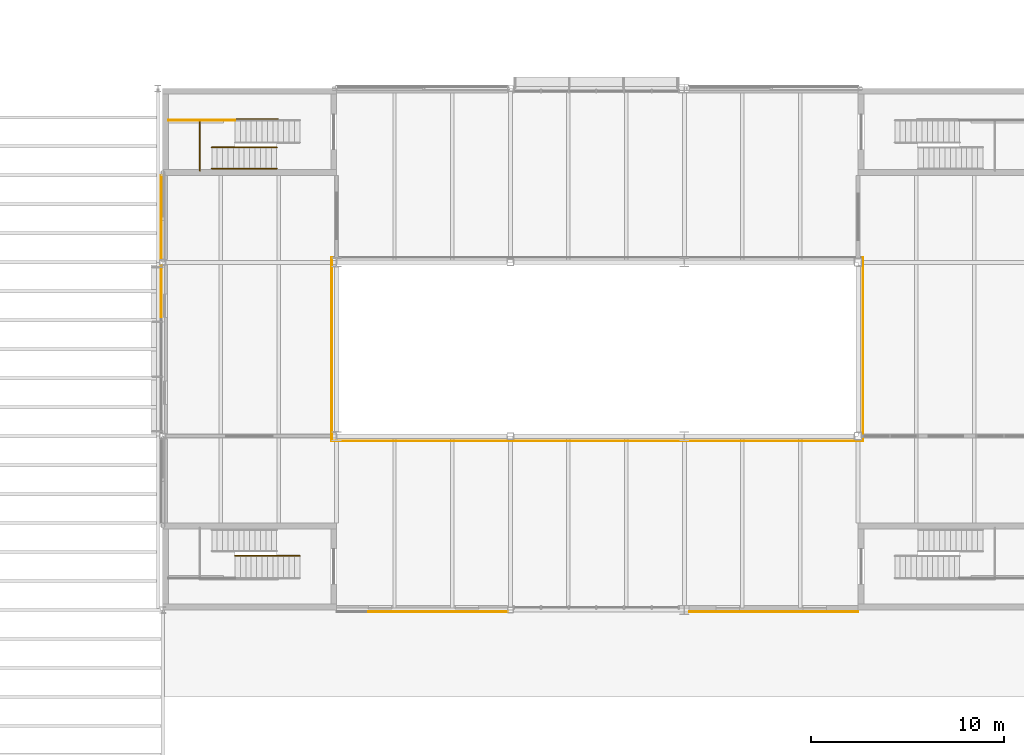
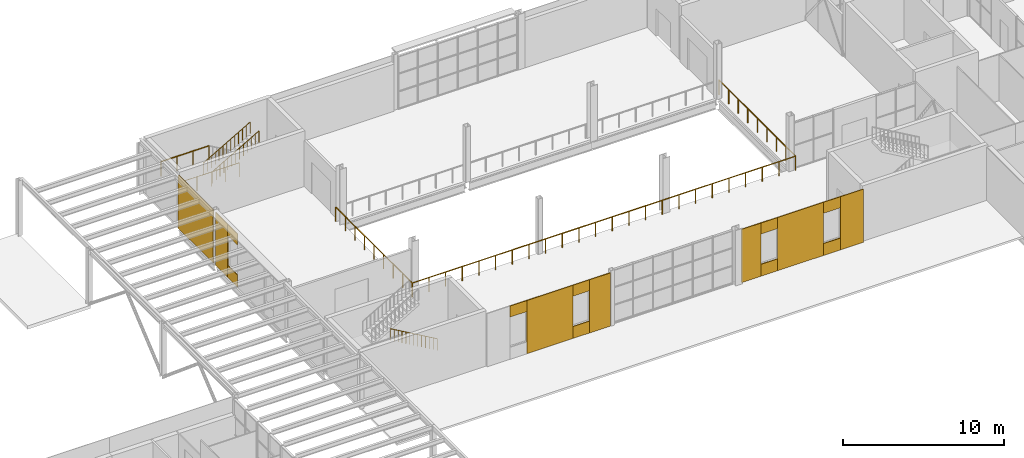
# One storey, part 50 of 57: 16 coverings, 8 railings.
"""IFC4 building model written with IfcOpenShell, lengths in metres."""

from ifc_helpers import new_model, si_unit, direction, frame, frame_2d, origin, origin_2d, place, context, subcontext, project, spatial, rectangle, circle, extrude, material, layer, layer_set, type_object, element, save


model = new_model("IFC4")

# Units and contexts
model_context = context("Model", 3, precision=1e-05, world=origin(), true_north=direction((0.0, 1.0)))
body_context = subcontext(model_context, "Body", "Model", "MODEL_VIEW")
ifc_project = project(units=[si_unit("LENGTHUNIT", "METRE"), si_unit("AREAUNIT", "SQUARE_METRE"), si_unit("VOLUMEUNIT", "CUBIC_METRE"), si_unit("PLANEANGLEUNIT", "RADIAN"), si_unit("MASSUNIT", "GRAM", prefix="KILO")], contexts=[model_context])

# Site, building, storey
site_placement = place(None, origin())
site = spatial("IfcSite", under=ifc_project, at=site_placement, CompositionType="ELEMENT")
building_placement = place(site_placement, origin())
building = spatial("IfcBuilding", under=site, at=building_placement, Name="Halyard Row Museum", CompositionType="ELEMENT")
storey_placement = place(building_placement, frame((0.0, 0.0, 5.0)))
storey = spatial("IfcBuildingStorey", under=building, at=storey_placement, Name="L01", CompositionType="ELEMENT", Elevation=5.0)

# Railings
ifc_material_1 = material(Name="Steel Grade 300", Category="steel")
railing_type_1 = type_object("IfcRailingType", Name="Guard GR2 steel balustrade 1100", PredefinedType="GUARDRAIL", material=ifc_material_1)
railing_1_placement = place(storey_placement, frame((30.739990234375, 43.35009765625, 2.10009765625)))
element("IfcRailing", 1, at=railing_1_placement, inside=storey, type_object=railing_type_1, Name="Guard GR006", PredefinedType="GUARDRAIL", context=body_context, shape_type="SweptSolid", body=[
    extrude(circle(Radius=0.02392578125, at=origin_2d()), frame((0.0, 0.0, 1.076171875), z_axis=(-1.0, 0.0, 0.0), x_axis=(0.0, -1.0, 0.0)), (0.0, 0.0, 1.0), 3.43994140625),
    extrude(circle(Radius=0.02099609375, at=origin_2d()), origin(), (0.0, 0.0, 1.0), 1.052001953125),
    extrude(circle(Radius=0.02099609375, at=origin_2d()), frame((-1.146728515625, 0.0, 0.0)), (0.0, 0.0, 1.0), 1.052001953125),
    extrude(circle(Radius=0.02099609375, at=origin_2d()), frame((-2.293212890625, 0.0, 0.0)), (0.0, 0.0, 1.0), 1.052001953125),
    extrude(circle(Radius=0.02099609375, at=origin_2d()), frame((-3.43994140625, 0.0, 0.0)), (0.0, 0.0, 1.0), 1.052001953125),
])
railing_2_placement = place(storey_placement, frame((28.919921875, 40.739990234375, 0.0)))
element("IfcRailing", 2, at=railing_2_placement, inside=storey, type_object=railing_type_1, Name="Guard GR138", PredefinedType="GUARDRAIL", context=body_context, shape_type="SweptSolid", body=[
    extrude(circle(Radius=0.02392578125, at=origin_2d()), frame((0.0, 0.0, 1.076171875), z_axis=(0.0, 1.0, 0.0), x_axis=(-1.0, 0.0, 0.0)), (0.0, 0.0, 1.0), 2.669921875),
    extrude(circle(Radius=0.02392578125, at=origin_2d()), frame((0.0, 2.669921875, 1.076171875), z_axis=(1.0, 0.0, 0.0), x_axis=(0.0, 1.0, 0.0)), (0.0, 0.0, 1.0), 4.0400390625),
    extrude(circle(Radius=0.02099609375, at=origin_2d()), origin(), (0.0, 0.0, 1.0), 1.052001953125),
    extrude(circle(Radius=0.02099609375, at=origin_2d()), frame((0.0, 0.889892578125, 0.0)), (0.0, 0.0, 1.0), 1.052001953125),
    extrude(circle(Radius=0.02099609375, at=origin_2d()), frame((0.0, 1.780029296875, 0.0)), (0.0, 0.0, 1.0), 1.052001953125),
    extrude(circle(Radius=0.02099609375, at=origin_2d()), frame((0.0, 2.669921875, 0.0)), (0.0, 0.0, 1.0), 1.052001953125),
    extrude(circle(Radius=0.02099609375, at=origin_2d()), frame((1.010009765625, 2.669921875, 0.0)), (0.0, 0.0, 1.0), 1.052001953125),
    extrude(circle(Radius=0.02099609375, at=origin_2d()), frame((2.02001953125, 2.669921875, 0.0)), (0.0, 0.0, 1.0), 1.052001953125),
    extrude(circle(Radius=0.02099609375, at=origin_2d()), frame((3.030029296875, 2.669921875, 0.0)), (0.0, 0.0, 1.0), 1.052001953125),
    extrude(circle(Radius=0.02099609375, at=origin_2d()), frame((4.0400390625, 2.669921875, 0.0)), (0.0, 0.0, 1.0), 1.052001953125),
])
railing_3_placement = place(storey_placement, frame((35.75, 26.75, 0.0)))
element("IfcRailing", 3, at=railing_3_placement, inside=storey, type_object=railing_type_1, Name="Guard GR190", PredefinedType="GUARDRAIL", context=body_context, shape_type="SweptSolid", body=[
    extrude(circle(Radius=0.02392578125, at=origin_2d()), frame((0.0, 0.0, 1.076171875), z_axis=(0.0, 1.0, 0.0), x_axis=(-1.0, 0.0, 0.0)), (0.0, 0.0, 1.0), 9.5),
    extrude(circle(Radius=0.02099609375, at=origin_2d()), origin(), (0.0, 0.0, 1.0), 1.052001953125),
    extrude(circle(Radius=0.02099609375, at=origin_2d()), frame((0.0, 1.1875, 0.0)), (0.0, 0.0, 1.0), 1.052001953125),
    extrude(circle(Radius=0.02099609375, at=origin_2d()), frame((0.0, 2.375, 0.0)), (0.0, 0.0, 1.0), 1.052001953125),
    extrude(circle(Radius=0.02099609375, at=origin_2d()), frame((0.0, 3.5625, 0.0)), (0.0, 0.0, 1.0), 1.052001953125),
    extrude(circle(Radius=0.02099609375, at=origin_2d()), frame((0.0, 4.75, 0.0)), (0.0, 0.0, 1.0), 1.052001953125),
    extrude(circle(Radius=0.02099609375, at=origin_2d()), frame((0.0, 5.9375, 0.0)), (0.0, 0.0, 1.0), 1.052001953125),
    extrude(circle(Radius=0.02099609375, at=origin_2d()), frame((0.0, 7.125, 0.0)), (0.0, 0.0, 1.0), 1.052001953125),
    extrude(circle(Radius=0.02099609375, at=origin_2d()), frame((0.0, 8.3125, 0.0)), (0.0, 0.0, 1.0), 1.052001953125),
    extrude(circle(Radius=0.02099609375, at=origin_2d()), frame((0.0, 9.5, 0.0)), (0.0, 0.0, 1.0), 1.052001953125),
])
railing_4_placement = place(storey_placement, frame((35.75, 26.75, 0.0)))
element("IfcRailing", 4, at=railing_4_placement, inside=storey, type_object=railing_type_1, Name="Guard GR191", PredefinedType="GUARDRAIL", context=body_context, shape_type="SweptSolid", body=[
    extrude(circle(Radius=0.02392578125, at=origin_2d()), frame((0.0, 0.0, 1.076171875), z_axis=(1.0, 0.0, 0.0), x_axis=(0.0, 1.0, 0.0)), (0.0, 0.0, 1.0), 27.5),
    extrude(circle(Radius=0.02099609375, at=origin_2d()), origin(), (0.0, 0.0, 1.0), 1.052001953125),
    extrude(circle(Radius=0.02099609375, at=origin_2d()), frame((1.195556640625, 0.0, 0.0)), (0.0, 0.0, 1.0), 1.052001953125),
    extrude(circle(Radius=0.02099609375, at=origin_2d()), frame((2.391357421875, 0.0, 0.0)), (0.0, 0.0, 1.0), 1.052001953125),
    extrude(circle(Radius=0.02099609375, at=origin_2d()), frame((3.5869140625, 0.0, 0.0)), (0.0, 0.0, 1.0), 1.052001953125),
    extrude(circle(Radius=0.02099609375, at=origin_2d()), frame((4.78271484375, 0.0, 0.0)), (0.0, 0.0, 1.0), 1.052001953125),
    extrude(circle(Radius=0.02099609375, at=origin_2d()), frame((5.978271484375, 0.0, 0.0)), (0.0, 0.0, 1.0), 1.052001953125),
    extrude(circle(Radius=0.02099609375, at=origin_2d()), frame((7.173828125, 0.0, 0.0)), (0.0, 0.0, 1.0), 1.052001953125),
    extrude(circle(Radius=0.02099609375, at=origin_2d()), frame((8.36962890625, 0.0, 0.0)), (0.0, 0.0, 1.0), 1.052001953125),
    extrude(circle(Radius=0.02099609375, at=origin_2d()), frame((9.565185546875, 0.0, 0.0)), (0.0, 0.0, 1.0), 1.052001953125),
    extrude(circle(Radius=0.02099609375, at=origin_2d()), frame((10.760986328125, 0.0, 0.0)), (0.0, 0.0, 1.0), 1.052001953125),
    extrude(circle(Radius=0.02099609375, at=origin_2d()), frame((11.95654296875, 0.0, 0.0)), (0.0, 0.0, 1.0), 1.052001953125),
    extrude(circle(Radius=0.02099609375, at=origin_2d()), frame((13.152099609375, 0.0, 0.0)), (0.0, 0.0, 1.0), 1.052001953125),
    extrude(circle(Radius=0.02099609375, at=origin_2d()), frame((14.347900390625, 0.0, 0.0)), (0.0, 0.0, 1.0), 1.052001953125),
    extrude(circle(Radius=0.02099609375, at=origin_2d()), frame((15.54345703125, 0.0, 0.0)), (0.0, 0.0, 1.0), 1.052001953125),
    extrude(circle(Radius=0.02099609375, at=origin_2d()), frame((16.739013671875, 0.0, 0.0)), (0.0, 0.0, 1.0), 1.052001953125),
    extrude(circle(Radius=0.02099609375, at=origin_2d()), frame((17.934814453125, 0.0, 0.0)), (0.0, 0.0, 1.0), 1.052001953125),
    extrude(circle(Radius=0.02099609375, at=origin_2d()), frame((19.13037109375, 0.0, 0.0)), (0.0, 0.0, 1.0), 1.052001953125),
    extrude(circle(Radius=0.02099609375, at=origin_2d()), frame((20.326171875, 0.0, 0.0)), (0.0, 0.0, 1.0), 1.052001953125),
    extrude(circle(Radius=0.02099609375, at=origin_2d()), frame((21.521728515625, 0.0, 0.0)), (0.0, 0.0, 1.0), 1.052001953125),
    extrude(circle(Radius=0.02099609375, at=origin_2d()), frame((22.71728515625, 0.0, 0.0)), (0.0, 0.0, 1.0), 1.052001953125),
    extrude(circle(Radius=0.02099609375, at=origin_2d()), frame((23.9130859375, 0.0, 0.0)), (0.0, 0.0, 1.0), 1.052001953125),
    extrude(circle(Radius=0.02099609375, at=origin_2d()), frame((25.108642578125, 0.0, 0.0)), (0.0, 0.0, 1.0), 1.052001953125),
    extrude(circle(Radius=0.02099609375, at=origin_2d()), frame((26.304443359375, 0.0, 0.0)), (0.0, 0.0, 1.0), 1.052001953125),
    extrude(circle(Radius=0.02099609375, at=origin_2d()), frame((27.5, 0.0, 0.0)), (0.0, 0.0, 1.0), 1.052001953125),
])
railing_5_placement = place(storey_placement, frame((63.25, 26.75, 0.0)))
element("IfcRailing", 5, at=railing_5_placement, inside=storey, type_object=railing_type_1, Name="Guard GR192", PredefinedType="GUARDRAIL", context=body_context, shape_type="SweptSolid", body=[
    extrude(circle(Radius=0.02392578125, at=origin_2d()), frame((0.0, 0.0, 1.076171875), z_axis=(0.0, 1.0, 0.0), x_axis=(-1.0, 0.0, 0.0)), (0.0, 0.0, 1.0), 9.5),
    extrude(circle(Radius=0.02099609375, at=origin_2d()), origin(), (0.0, 0.0, 1.0), 1.052001953125),
    extrude(circle(Radius=0.02099609375, at=origin_2d()), frame((0.0, 1.1875, 0.0)), (0.0, 0.0, 1.0), 1.052001953125),
    extrude(circle(Radius=0.02099609375, at=origin_2d()), frame((0.0, 2.375, 0.0)), (0.0, 0.0, 1.0), 1.052001953125),
    extrude(circle(Radius=0.02099609375, at=origin_2d()), frame((0.0, 3.5625, 0.0)), (0.0, 0.0, 1.0), 1.052001953125),
    extrude(circle(Radius=0.02099609375, at=origin_2d()), frame((0.0, 4.75, 0.0)), (0.0, 0.0, 1.0), 1.052001953125),
    extrude(circle(Radius=0.02099609375, at=origin_2d()), frame((0.0, 5.9375, 0.0)), (0.0, 0.0, 1.0), 1.052001953125),
    extrude(circle(Radius=0.02099609375, at=origin_2d()), frame((0.0, 7.125, 0.0)), (0.0, 0.0, 1.0), 1.052001953125),
    extrude(circle(Radius=0.02099609375, at=origin_2d()), frame((0.0, 8.3125, 0.0)), (0.0, 0.0, 1.0), 1.052001953125),
    extrude(circle(Radius=0.02099609375, at=origin_2d()), frame((0.0, 9.5, 0.0)), (0.0, 0.0, 1.0), 1.052001953125),
])
ifc_material_2 = material(Name="Steel Grade 300", Category="steel")
railing_type_2 = type_object("IfcRailingType", Name="Handrail HR2 steel 900", PredefinedType="HANDRAIL", material=ifc_material_2)
railing_6_placement = place(storey_placement, frame((29.5400390625, 40.85009765625, 2.261474609375)))
element("IfcRailing", 6, at=railing_6_placement, inside=storey, type_object=railing_type_2, Name="Handrail HR008", PredefinedType="HANDRAIL", context=body_context, shape_type="SweptSolid", body=[
    extrude(circle(Radius=0.02392578125, at=origin_2d()), frame((0.0, 0.0, 0.8759765625), z_axis=(0.86609757561, 0.0, 0.499874973892), x_axis=(0.0, 1.0, 0.0)), (0.0, 0.0, 1.0), 0.3232421875),
    extrude(circle(Radius=0.02392578125, at=origin_2d()), frame((0.280029296875, 0.0, 1.03759765625), z_axis=(0.86609757561, 0.0, 0.499874973892), x_axis=(0.0, 1.0, 0.0)), (0.0, 0.0, 1.0), 0.3232421875),
    extrude(circle(Radius=0.02392578125, at=origin_2d()), frame((0.56005859375, 0.0, 1.19921875), z_axis=(0.866235917577, 0.0, 0.499635202023), x_axis=(0.0, 1.0, 0.0)), (0.0, 0.0, 1.0), 0.322998046875),
    extrude(circle(Radius=0.02392578125, at=origin_2d()), frame((0.83984375, 0.0, 1.3603515625), z_axis=(0.86609757561, 0.0, 0.499874973892), x_axis=(0.0, 1.0, 0.0)), (0.0, 0.0, 1.0), 0.3232421875),
    extrude(circle(Radius=0.02392578125, at=origin_2d()), frame((1.119873046875, 0.0, 1.52197265625), z_axis=(0.86609757561, 0.0, 0.499874973892), x_axis=(0.0, 1.0, 0.0)), (0.0, 0.0, 1.0), 0.3232421875),
    extrude(circle(Radius=0.02392578125, at=origin_2d()), frame((1.39990234375, 0.0, 1.68359375), z_axis=(0.866424426198, 0.0, 0.49930823515), x_axis=(0.0, 1.0, 0.0)), (0.0, 0.0, 1.0), 0.3232421875),
    extrude(circle(Radius=0.02392578125, at=origin_2d()), frame((1.679931640625, 0.0, 1.84521484375), z_axis=(0.86609757561, 0.0, 0.499874973892), x_axis=(0.0, 1.0, 0.0)), (0.0, 0.0, 1.0), 0.3232421875),
    extrude(circle(Radius=0.02392578125, at=origin_2d()), frame((1.9599609375, 0.0, 2.0068359375), z_axis=(0.86609757561, 0.0, 0.499874973892), x_axis=(0.0, 1.0, 0.0)), (0.0, 0.0, 1.0), 0.3232421875),
    extrude(circle(Radius=0.02392578125, at=origin_2d()), frame((2.239990234375, 0.0, 2.16845703125), z_axis=(0.866424426198, 0.0, 0.49930823515), x_axis=(0.0, 1.0, 0.0)), (0.0, 0.0, 1.0), 0.3232421875),
    extrude(circle(Radius=0.02392578125, at=origin_2d()), frame((2.52001953125, 0.0, 2.32958984375), z_axis=(0.86609757561, 0.0, 0.499874973892), x_axis=(0.0, 1.0, 0.0)), (0.0, 0.0, 1.0), 0.3232421875),
    extrude(circle(Radius=0.02392578125, at=origin_2d()), frame((2.800048828125, 0.0, 2.4912109375), z_axis=(0.86609757561, 0.0, 0.499874973892), x_axis=(0.0, 1.0, 0.0)), (0.0, 0.0, 1.0), 0.3232421875),
    extrude(circle(Radius=0.02392578125, at=origin_2d()), frame((3.080078125, 0.0, 2.65283203125), z_axis=(0.866235917577, 0.0, 0.499635202023), x_axis=(0.0, 1.0, 0.0)), (0.0, 0.0, 1.0), 0.322998046875),
    extrude(circle(Radius=0.02099609375, at=origin_2d()), origin(), (0.0, 0.0, 1.0), 0.851806640625),
    extrude(circle(Radius=0.02099609375, at=origin_2d()), frame((0.280029296875, 0.0, 0.16162109375)), (0.0, 0.0, 1.0), 0.851806640625),
    extrude(circle(Radius=0.02099609375, at=origin_2d()), frame((0.56005859375, 0.0, 0.3232421875)), (0.0, 0.0, 1.0), 0.851806640625),
    extrude(circle(Radius=0.02099609375, at=origin_2d()), frame((0.83984375, 0.0, 0.484619140625)), (0.0, 0.0, 1.0), 0.851806640625),
    extrude(circle(Radius=0.02099609375, at=origin_2d()), frame((1.119873046875, 0.0, 0.646240234375)), (0.0, 0.0, 1.0), 0.851806640625),
    extrude(circle(Radius=0.02099609375, at=origin_2d()), frame((1.39990234375, 0.0, 0.807861328125)), (0.0, 0.0, 1.0), 0.851806640625),
    extrude(circle(Radius=0.02099609375, at=origin_2d()), frame((1.679931640625, 0.0, 0.96923828125)), (0.0, 0.0, 1.0), 0.851806640625),
    extrude(circle(Radius=0.02099609375, at=origin_2d()), frame((1.9599609375, 0.0, 1.130859375)), (0.0, 0.0, 1.0), 0.851806640625),
    extrude(circle(Radius=0.02099609375, at=origin_2d()), frame((2.239990234375, 0.0, 1.29248046875)), (0.0, 0.0, 1.0), 0.851806640625),
    extrude(circle(Radius=0.02099609375, at=origin_2d()), frame((2.52001953125, 0.0, 1.453857421875)), (0.0, 0.0, 1.0), 0.851806640625),
    extrude(circle(Radius=0.02099609375, at=origin_2d()), frame((2.800048828125, 0.0, 1.615478515625)), (0.0, 0.0, 1.0), 0.851806640625),
    extrude(circle(Radius=0.02099609375, at=origin_2d()), frame((3.080078125, 0.0, 1.777099609375)), (0.0, 0.0, 1.0), 0.851806640625),
    extrude(circle(Radius=0.02099609375, at=origin_2d()), frame((3.35986328125, 0.0, 1.9384765625)), (0.0, 0.0, 1.0), 0.851806640625),
])
railing_7_placement = place(storey_placement, frame((29.5400390625, 41.949951171875, 2.261474609375)))
element("IfcRailing", 7, at=railing_7_placement, inside=storey, type_object=railing_type_2, Name="Handrail HR009", PredefinedType="HANDRAIL", context=body_context, shape_type="SweptSolid", body=[
    extrude(circle(Radius=0.02392578125, at=origin_2d()), frame((0.0, 0.0, 0.8759765625), z_axis=(0.86609757561, 0.0, 0.499874973892), x_axis=(0.0, 1.0, 0.0)), (0.0, 0.0, 1.0), 0.3232421875),
    extrude(circle(Radius=0.02392578125, at=origin_2d()), frame((0.280029296875, 0.0, 1.03759765625), z_axis=(0.86609757561, 0.0, 0.499874973892), x_axis=(0.0, 1.0, 0.0)), (0.0, 0.0, 1.0), 0.3232421875),
    extrude(circle(Radius=0.02392578125, at=origin_2d()), frame((0.56005859375, 0.0, 1.19921875), z_axis=(0.866235917577, 0.0, 0.499635202023), x_axis=(0.0, 1.0, 0.0)), (0.0, 0.0, 1.0), 0.322998046875),
    extrude(circle(Radius=0.02392578125, at=origin_2d()), frame((0.83984375, 0.0, 1.3603515625), z_axis=(0.86609757561, 0.0, 0.499874973892), x_axis=(0.0, 1.0, 0.0)), (0.0, 0.0, 1.0), 0.3232421875),
    extrude(circle(Radius=0.02392578125, at=origin_2d()), frame((1.119873046875, 0.0, 1.52197265625), z_axis=(0.86609757561, 0.0, 0.499874973892), x_axis=(0.0, 1.0, 0.0)), (0.0, 0.0, 1.0), 0.3232421875),
    extrude(circle(Radius=0.02392578125, at=origin_2d()), frame((1.39990234375, 0.0, 1.68359375), z_axis=(0.866424426198, 0.0, 0.49930823515), x_axis=(0.0, 1.0, 0.0)), (0.0, 0.0, 1.0), 0.3232421875),
    extrude(circle(Radius=0.02392578125, at=origin_2d()), frame((1.679931640625, 0.0, 1.84521484375), z_axis=(0.86609757561, 0.0, 0.499874973892), x_axis=(0.0, 1.0, 0.0)), (0.0, 0.0, 1.0), 0.3232421875),
    extrude(circle(Radius=0.02392578125, at=origin_2d()), frame((1.9599609375, 0.0, 2.0068359375), z_axis=(0.86609757561, 0.0, 0.499874973892), x_axis=(0.0, 1.0, 0.0)), (0.0, 0.0, 1.0), 0.3232421875),
    extrude(circle(Radius=0.02392578125, at=origin_2d()), frame((2.239990234375, 0.0, 2.16845703125), z_axis=(0.866424426198, 0.0, 0.49930823515), x_axis=(0.0, 1.0, 0.0)), (0.0, 0.0, 1.0), 0.3232421875),
    extrude(circle(Radius=0.02392578125, at=origin_2d()), frame((2.52001953125, 0.0, 2.32958984375), z_axis=(0.86609757561, 0.0, 0.499874973892), x_axis=(0.0, 1.0, 0.0)), (0.0, 0.0, 1.0), 0.3232421875),
    extrude(circle(Radius=0.02392578125, at=origin_2d()), frame((2.800048828125, 0.0, 2.4912109375), z_axis=(0.86609757561, 0.0, 0.499874973892), x_axis=(0.0, 1.0, 0.0)), (0.0, 0.0, 1.0), 0.3232421875),
    extrude(circle(Radius=0.02392578125, at=origin_2d()), frame((3.080078125, 0.0, 2.65283203125), z_axis=(0.866235917577, 0.0, 0.499635202023), x_axis=(0.0, 1.0, 0.0)), (0.0, 0.0, 1.0), 0.322998046875),
    extrude(circle(Radius=0.02099609375, at=origin_2d()), origin(), (0.0, 0.0, 1.0), 0.851806640625),
    extrude(circle(Radius=0.02099609375, at=origin_2d()), frame((0.280029296875, 0.0, 0.16162109375)), (0.0, 0.0, 1.0), 0.851806640625),
    extrude(circle(Radius=0.02099609375, at=origin_2d()), frame((0.56005859375, 0.0, 0.3232421875)), (0.0, 0.0, 1.0), 0.851806640625),
    extrude(circle(Radius=0.02099609375, at=origin_2d()), frame((0.83984375, 0.0, 0.484619140625)), (0.0, 0.0, 1.0), 0.851806640625),
    extrude(circle(Radius=0.02099609375, at=origin_2d()), frame((1.119873046875, 0.0, 0.646240234375)), (0.0, 0.0, 1.0), 0.851806640625),
    extrude(circle(Radius=0.02099609375, at=origin_2d()), frame((1.39990234375, 0.0, 0.807861328125)), (0.0, 0.0, 1.0), 0.851806640625),
    extrude(circle(Radius=0.02099609375, at=origin_2d()), frame((1.679931640625, 0.0, 0.96923828125)), (0.0, 0.0, 1.0), 0.851806640625),
    extrude(circle(Radius=0.02099609375, at=origin_2d()), frame((1.9599609375, 0.0, 1.130859375)), (0.0, 0.0, 1.0), 0.851806640625),
    extrude(circle(Radius=0.02099609375, at=origin_2d()), frame((2.239990234375, 0.0, 1.29248046875)), (0.0, 0.0, 1.0), 0.851806640625),
    extrude(circle(Radius=0.02099609375, at=origin_2d()), frame((2.52001953125, 0.0, 1.453857421875)), (0.0, 0.0, 1.0), 0.851806640625),
    extrude(circle(Radius=0.02099609375, at=origin_2d()), frame((2.800048828125, 0.0, 1.615478515625)), (0.0, 0.0, 1.0), 0.851806640625),
    extrude(circle(Radius=0.02099609375, at=origin_2d()), frame((3.080078125, 0.0, 1.777099609375)), (0.0, 0.0, 1.0), 0.851806640625),
    extrude(circle(Radius=0.02099609375, at=origin_2d()), frame((3.35986328125, 0.0, 1.9384765625)), (0.0, 0.0, 1.0), 0.851806640625),
])
railing_8_placement = place(storey_placement, frame((34.10009765625, 20.800048828125, 0.16162109375)))
element("IfcRailing", 8, at=railing_8_placement, inside=storey, type_object=railing_type_2, Name="Handrail HR049", PredefinedType="HANDRAIL", context=body_context, shape_type="SweptSolid", body=[
    extrude(circle(Radius=0.02392578125, at=origin_2d()), frame((0.0, 0.0, 0.8759765625), z_axis=(-0.866424426198, 0.0, 0.49930823515), x_axis=(0.0, -1.0, 0.0)), (0.0, 0.0, 1.0), 0.3232421875),
    extrude(circle(Radius=0.02392578125, at=origin_2d()), frame((-0.280029296875, 0.0, 1.037109375), z_axis=(-0.86609757561, 0.0, 0.499874973892), x_axis=(0.0, -1.0, 0.0)), (0.0, 0.0, 1.0), 0.3232421875),
    extrude(circle(Radius=0.02392578125, at=origin_2d()), frame((-0.56005859375, 0.0, 1.19873046875), z_axis=(-0.86609757561, 0.0, 0.499874973892), x_axis=(0.0, -1.0, 0.0)), (0.0, 0.0, 1.0), 0.3232421875),
    extrude(circle(Radius=0.02392578125, at=origin_2d()), frame((-0.840087890625, 0.0, 1.3603515625), z_axis=(-0.866424426198, 0.0, 0.49930823515), x_axis=(0.0, -1.0, 0.0)), (0.0, 0.0, 1.0), 0.3232421875),
    extrude(circle(Radius=0.02392578125, at=origin_2d()), frame((-1.1201171875, 0.0, 1.52197265625), z_axis=(-0.86609757561, 0.0, 0.499874973892), x_axis=(0.0, -1.0, 0.0)), (0.0, 0.0, 1.0), 0.3232421875),
    extrude(circle(Radius=0.02392578125, at=origin_2d()), frame((-1.400146484375, 0.0, 1.68359375), z_axis=(-0.86609757561, 0.0, 0.499874973892), x_axis=(0.0, -1.0, 0.0)), (0.0, 0.0, 1.0), 0.3232421875),
    extrude(circle(Radius=0.02392578125, at=origin_2d()), frame((-1.68017578125, 0.0, 1.84521484375), z_axis=(-0.866424426198, 0.0, 0.49930823515), x_axis=(0.0, -1.0, 0.0)), (0.0, 0.0, 1.0), 0.3232421875),
    extrude(circle(Radius=0.02392578125, at=origin_2d()), frame((-1.960205078125, 0.0, 2.00634765625), z_axis=(-0.865908710228, 0.0, 0.500202064721), x_axis=(0.0, -1.0, 0.0)), (0.0, 0.0, 1.0), 0.322998046875),
    extrude(circle(Radius=0.02392578125, at=origin_2d()), frame((-2.239990234375, 0.0, 2.16796875), z_axis=(-0.86609757561, 0.0, 0.499874973892), x_axis=(0.0, -1.0, 0.0)), (0.0, 0.0, 1.0), 0.3232421875),
    extrude(circle(Radius=0.02392578125, at=origin_2d()), frame((-2.52001953125, 0.0, 2.32958984375), z_axis=(-0.866424426198, 0.0, 0.49930823515), x_axis=(0.0, -1.0, 0.0)), (0.0, 0.0, 1.0), 0.3232421875),
    extrude(circle(Radius=0.02392578125, at=origin_2d()), frame((-2.800048828125, 0.0, 2.4912109375), z_axis=(-0.86609757561, 0.0, 0.499874973892), x_axis=(0.0, -1.0, 0.0)), (0.0, 0.0, 1.0), 0.3232421875),
    extrude(circle(Radius=0.02392578125, at=origin_2d()), frame((-3.080078125, 0.0, 2.65283203125), z_axis=(-0.86609757561, 0.0, 0.499874973892), x_axis=(0.0, -1.0, 0.0)), (0.0, 0.0, 1.0), 0.3232421875),
    extrude(circle(Radius=0.02099609375, at=origin_2d()), origin(), (0.0, 0.0, 1.0), 0.851806640625),
    extrude(circle(Radius=0.02099609375, at=origin_2d()), frame((-0.280029296875, 0.0, 0.161376953125)), (0.0, 0.0, 1.0), 0.851806640625),
    extrude(circle(Radius=0.02099609375, at=origin_2d()), frame((-0.56005859375, 0.0, 0.322998046875)), (0.0, 0.0, 1.0), 0.851806640625),
    extrude(circle(Radius=0.02099609375, at=origin_2d()), frame((-0.840087890625, 0.0, 0.484619140625)), (0.0, 0.0, 1.0), 0.851806640625),
    extrude(circle(Radius=0.02099609375, at=origin_2d()), frame((-1.1201171875, 0.0, 0.64599609375)), (0.0, 0.0, 1.0), 0.851806640625),
    extrude(circle(Radius=0.02099609375, at=origin_2d()), frame((-1.400146484375, 0.0, 0.8076171875)), (0.0, 0.0, 1.0), 0.851806640625),
    extrude(circle(Radius=0.02099609375, at=origin_2d()), frame((-1.68017578125, 0.0, 0.96923828125)), (0.0, 0.0, 1.0), 0.851806640625),
    extrude(circle(Radius=0.02099609375, at=origin_2d()), frame((-1.960205078125, 0.0, 1.130615234375)), (0.0, 0.0, 1.0), 0.851806640625),
    extrude(circle(Radius=0.02099609375, at=origin_2d()), frame((-2.239990234375, 0.0, 1.292236328125)), (0.0, 0.0, 1.0), 0.851806640625),
    extrude(circle(Radius=0.02099609375, at=origin_2d()), frame((-2.52001953125, 0.0, 1.453857421875)), (0.0, 0.0, 1.0), 0.851806640625),
    extrude(circle(Radius=0.02099609375, at=origin_2d()), frame((-2.800048828125, 0.0, 1.615234375)), (0.0, 0.0, 1.0), 0.851806640625),
    extrude(circle(Radius=0.02099609375, at=origin_2d()), frame((-3.080078125, 0.0, 1.77685546875)), (0.0, 0.0, 1.0), 0.851806640625),
    extrude(circle(Radius=0.02099609375, at=origin_2d()), frame((-3.360107421875, 0.0, 1.9384765625)), (0.0, 0.0, 1.0), 0.851806640625),
])

# Coverings
ifc_material_3 = material(Name="Fire-retardant Type A timber battens", Category="wood")
ifc_layer = layer(ifc_material_3, 0.050048828125)
ifc_layer_set = layer_set([ifc_layer], Name="Fire-retardant Type A timber battens")
covering_type = type_object("IfcCoveringType", Name="Timber batten cladding 50", PredefinedType="CLADDING", material=ifc_layer_set)
covering_1_placement = place(storey_placement, frame((26.9150390625, 40.5, 0.0), z_axis=(0.0, 0.0, 1.0), x_axis=(0.0, -1.0, 0.0)))
element("IfcCovering", 9, at=covering_1_placement, inside=storey, type_object=covering_type, Name="Cladding CLL01-003", PredefinedType="CLADDING", context=body_context, shape_type="SweptSolid", body=[
    extrude(rectangle(XDim=4.35009765625, YDim=0.050048828125, at=frame_2d((2.175048828125, 0.0))), origin(), (0.0, 0.0, 1.0), 4.034912109375),
])
covering_2_placement = place(storey_placement, frame((26.9150390625, 35.85009765625, 0.0), z_axis=(0.0, 0.0, 1.0), x_axis=(0.0, -1.0, 0.0)))
element("IfcCovering", 10, at=covering_2_placement, inside=storey, type_object=covering_type, Name="Cladding CLL01-004", PredefinedType="CLADDING", context=body_context, shape_type="SweptSolid", body=[
    extrude(rectangle(XDim=1.5, YDim=0.050048828125, at=frame_2d((0.75, 0.0))), origin(), (0.0, 0.0, 1.0), 4.034912109375),
])
covering_3_placement = place(storey_placement, frame((26.9150390625, 34.35009765625, 0.0), z_axis=(0.0, 0.0, 1.0), x_axis=(0.0, -1.0, 0.0)))
element("IfcCovering", 11, at=covering_3_placement, inside=storey, type_object=covering_type, Name="Cladding CLL01-007", PredefinedType="CLADDING", context=body_context, shape_type="SweptSolid", body=[
    extrude(rectangle(XDim=1.2001953125, YDim=0.050048828125, at=frame_2d((0.60009765625, 0.0))), origin(), (0.0, 0.0, 1.0), 0.89990234375),
])
covering_4_placement = place(storey_placement, frame((26.9150390625, 34.35009765625, 3.199951171875), z_axis=(0.0, 0.0, 1.0), x_axis=(0.0, -1.0, 0.0)))
element("IfcCovering", 12, at=covering_4_placement, inside=storey, type_object=covering_type, Name="Cladding CLL01-008", PredefinedType="CLADDING", context=body_context, shape_type="SweptSolid", body=[
    extrude(rectangle(XDim=1.2001953125, YDim=0.050048828125, at=frame_2d((0.60009765625, 0.0))), origin(), (0.0, 0.0, 1.0), 0.8349609375),
])
covering_5_placement = place(storey_placement, frame((38.85009765625, 17.9150390625, 0.0), z_axis=(0.0, 0.0, 1.0), x_axis=(1.0, 0.0, 0.0)))
element("IfcCovering", 13, at=covering_5_placement, inside=storey, type_object=covering_type, Name="Cladding CLL01-013", PredefinedType="CLADDING", context=body_context, shape_type="SweptSolid", body=[
    extrude(rectangle(XDim=3.2998046875, YDim=0.050048828125, at=frame_2d((1.64990234375, 0.0))), origin(), (0.0, 0.0, 1.0), 4.034912109375),
])
covering_6_placement = place(storey_placement, frame((43.35009765625, 17.9150390625, 0.0), z_axis=(0.0, 0.0, 1.0), x_axis=(1.0, 0.0, 0.0)))
element("IfcCovering", 14, at=covering_6_placement, inside=storey, type_object=covering_type, Name="Cladding CLL01-014", PredefinedType="CLADDING", context=body_context, shape_type="SweptSolid", body=[
    extrude(rectangle(XDim=1.5, YDim=0.050048828125, at=frame_2d((0.75, 0.0))), origin(), (0.0, 0.0, 1.0), 4.034912109375),
])
covering_7_placement = place(storey_placement, frame((37.64990234375, 17.9150390625, 3.199951171875), z_axis=(0.0, 0.0, 1.0), x_axis=(1.0, 0.0, 0.0)))
element("IfcCovering", 15, at=covering_7_placement, inside=storey, type_object=covering_type, Name="Cladding CLL01-016", PredefinedType="CLADDING", context=body_context, shape_type="SweptSolid", body=[
    extrude(rectangle(XDim=1.2001953125, YDim=0.050048828125, at=frame_2d((0.60009765625, 0.0))), origin(), (0.0, 0.0, 1.0), 0.8349609375),
])
covering_8_placement = place(storey_placement, frame((42.14990234375, 17.9150390625, 0.0), z_axis=(0.0, 0.0, 1.0), x_axis=(1.0, 0.0, 0.0)))
element("IfcCovering", 16, at=covering_8_placement, inside=storey, type_object=covering_type, Name="Cladding CLL01-017", PredefinedType="CLADDING", context=body_context, shape_type="SweptSolid", body=[
    extrude(rectangle(XDim=1.2001953125, YDim=0.050048828125, at=frame_2d((0.60009765625, 0.0))), origin(), (0.0, 0.0, 1.0), 0.89990234375),
])
covering_9_placement = place(storey_placement, frame((42.14990234375, 17.9150390625, 3.199951171875), z_axis=(0.0, 0.0, 1.0), x_axis=(1.0, 0.0, 0.0)))
element("IfcCovering", 17, at=covering_9_placement, inside=storey, type_object=covering_type, Name="Cladding CLL01-018", PredefinedType="CLADDING", context=body_context, shape_type="SweptSolid", body=[
    extrude(rectangle(XDim=1.2001953125, YDim=0.050048828125, at=frame_2d((0.60009765625, 0.0))), origin(), (0.0, 0.0, 1.0), 0.8349609375),
])
covering_10_placement = place(storey_placement, frame((54.25, 17.9150390625, 0.0), z_axis=(0.0, 0.0, 1.0), x_axis=(1.0, 0.0, 0.0)))
element("IfcCovering", 18, at=covering_10_placement, inside=storey, type_object=covering_type, Name="Cladding CLL01-019", PredefinedType="CLADDING", context=body_context, shape_type="SweptSolid", body=[
    extrude(rectangle(XDim=1.39990234375, YDim=0.050048828125, at=frame_2d((0.699951171875, 0.0))), origin(), (0.0, 0.0, 1.0), 4.034912109375),
])
covering_11_placement = place(storey_placement, frame((56.85009765625, 17.9150390625, 0.0), z_axis=(0.0, 0.0, 1.0), x_axis=(1.0, 0.0, 0.0)))
element("IfcCovering", 19, at=covering_11_placement, inside=storey, type_object=covering_type, Name="Cladding CLL01-020", PredefinedType="CLADDING", context=body_context, shape_type="SweptSolid", body=[
    extrude(rectangle(XDim=3.2998046875, YDim=0.050048828125, at=frame_2d((1.64990234375, 0.0))), origin(), (0.0, 0.0, 1.0), 4.034912109375),
])
covering_12_placement = place(storey_placement, frame((61.35009765625, 17.9150390625, 0.0), z_axis=(0.0, 0.0, 1.0), x_axis=(1.0, 0.0, 0.0)))
element("IfcCovering", 20, at=covering_12_placement, inside=storey, type_object=covering_type, Name="Cladding CLL01-021", PredefinedType="CLADDING", context=body_context, shape_type="SweptSolid", body=[
    extrude(rectangle(XDim=1.64990234375, YDim=0.050048828125, at=frame_2d((0.824951171875, 0.0))), origin(), (0.0, 0.0, 1.0), 4.034912109375),
])
covering_13_placement = place(storey_placement, frame((55.64990234375, 17.9150390625, 0.0), z_axis=(0.0, 0.0, 1.0), x_axis=(1.0, 0.0, 0.0)))
element("IfcCovering", 21, at=covering_13_placement, inside=storey, type_object=covering_type, Name="Cladding CLL01-022", PredefinedType="CLADDING", context=body_context, shape_type="SweptSolid", body=[
    extrude(rectangle(XDim=1.2001953125, YDim=0.050048828125, at=frame_2d((0.60009765625, 0.0))), origin(), (0.0, 0.0, 1.0), 0.89990234375),
])
covering_14_placement = place(storey_placement, frame((55.64990234375, 17.9150390625, 3.199951171875), z_axis=(0.0, 0.0, 1.0), x_axis=(1.0, 0.0, 0.0)))
element("IfcCovering", 22, at=covering_14_placement, inside=storey, type_object=covering_type, Name="Cladding CLL01-023", PredefinedType="CLADDING", context=body_context, shape_type="SweptSolid", body=[
    extrude(rectangle(XDim=1.2001953125, YDim=0.050048828125, at=frame_2d((0.60009765625, 0.0))), origin(), (0.0, 0.0, 1.0), 0.8349609375),
])
covering_15_placement = place(storey_placement, frame((60.14990234375, 17.9150390625, 0.0), z_axis=(0.0, 0.0, 1.0), x_axis=(1.0, 0.0, 0.0)))
element("IfcCovering", 23, at=covering_15_placement, inside=storey, type_object=covering_type, Name="Cladding CLL01-024", PredefinedType="CLADDING", context=body_context, shape_type="SweptSolid", body=[
    extrude(rectangle(XDim=1.2001953125, YDim=0.050048828125, at=frame_2d((0.60009765625, 0.0))), origin(), (0.0, 0.0, 1.0), 0.89990234375),
])
covering_16_placement = place(storey_placement, frame((60.14990234375, 17.9150390625, 3.199951171875), z_axis=(0.0, 0.0, 1.0), x_axis=(1.0, 0.0, 0.0)))
element("IfcCovering", 24, at=covering_16_placement, inside=storey, type_object=covering_type, Name="Cladding CLL01-025", PredefinedType="CLADDING", context=body_context, shape_type="SweptSolid", body=[
    extrude(rectangle(XDim=1.2001953125, YDim=0.050048828125, at=frame_2d((0.60009765625, 0.0))), origin(), (0.0, 0.0, 1.0), 0.8349609375),
])

save(model, "model.ifc")
